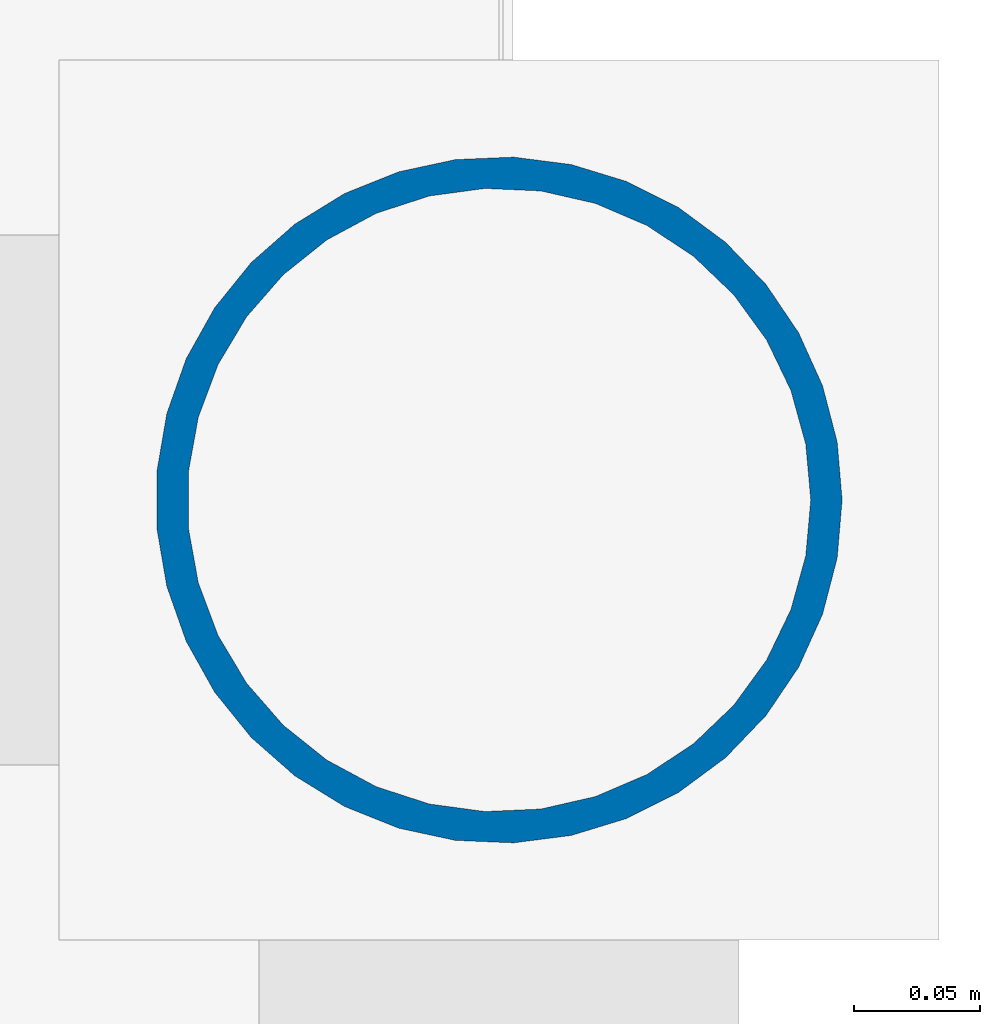
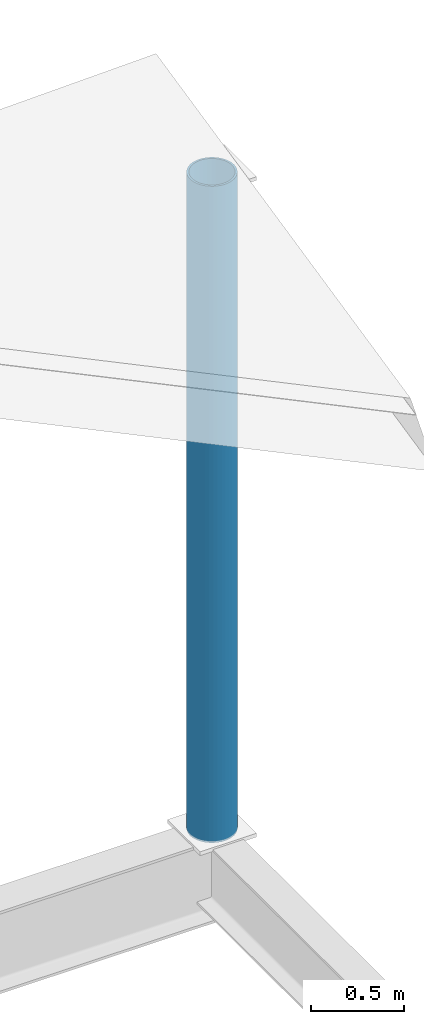
# One storey, part 3 of 50: 1 column.
"""IFC4 building model written with IfcOpenShell, lengths in metres."""

from ifc_helpers import new_model, si_unit, direction, frame, origin, origin_2d, place, context, subcontext, project, spatial, hollow_circle, extrude, material, material_profile, profile_set, type_object, element, save


model = new_model("IFC4")

# Units and contexts
model_context = context("Model", 3, precision=1e-05, world=origin(), true_north=direction((0.0, 1.0)))
body_context = subcontext(model_context, "Body", "Model", "MODEL_VIEW")
ifc_project = project(units=[si_unit("LENGTHUNIT", "METRE"), si_unit("AREAUNIT", "SQUARE_METRE"), si_unit("VOLUMEUNIT", "CUBIC_METRE"), si_unit("PLANEANGLEUNIT", "RADIAN"), si_unit("MASSUNIT", "GRAM", prefix="KILO")], contexts=[model_context])

# Site, building, storey
site_placement = place(None, origin())
site = spatial("IfcSite", under=ifc_project, at=site_placement, CompositionType="ELEMENT")
building_placement = place(site_placement, origin())
building = spatial("IfcBuilding", under=site, at=building_placement, Name="Cinderway Yard Community Centre", CompositionType="ELEMENT")
storey_placement = place(building_placement, frame((0.0, 0.0, 12.89990234375)))
storey = spatial("IfcBuildingStorey", under=building, at=storey_placement, Name="L03", CompositionType="ELEMENT", Elevation=12.89990234375)

# Column
ifc_material = material(Name="Steel S355", Category="steel")
ifc_material_profile = material_profile(ifc_material, hollow_circle(Radius=0.136474609375, WallThickness=0.012451171875, at=origin_2d()), Name="Steel S355")
ifc_profile_set = profile_set([ifc_material_profile], Name="Steel S355")
column_type = type_object("IfcColumnType", Name="STR-POST-CHS273", PredefinedType="PILASTER", material=ifc_profile_set)
column_placement = place(storey_placement, frame((110.39990234375, 22.800048828125, 0.0), z_axis=(0.0, 0.0, 1.0), x_axis=(1.0, 0.0, 0.0)))
element("IfcColumn", 1, at=column_placement, inside=storey, type_object=column_type, Name="V3 roof strut post FOLD3-4", PredefinedType="PILASTER", context=body_context, shape_type="SweptSolid", body=[
    extrude(hollow_circle(Radius=0.136474609375, WallThickness=0.012451171875, at=origin_2d()), origin(), (0.0, 0.0, 1.0), 4.300048828125),
])

save(model, "model.ifc")
